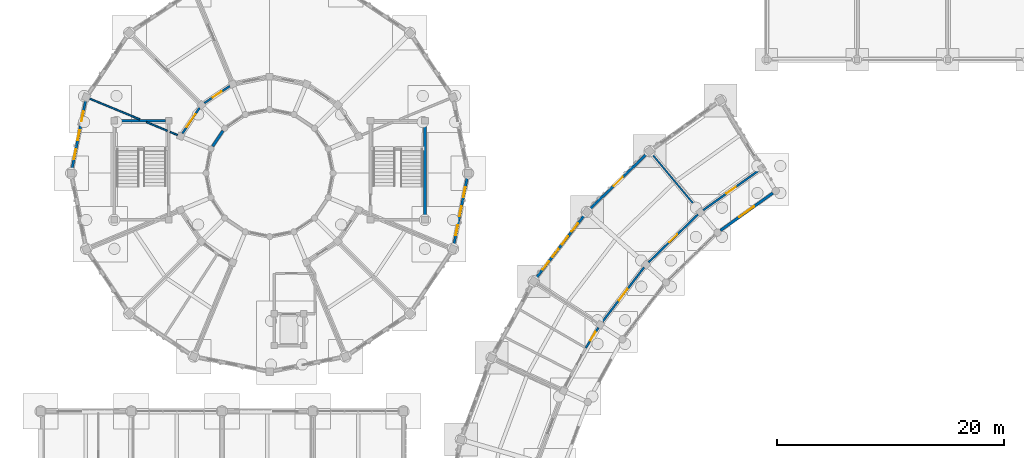
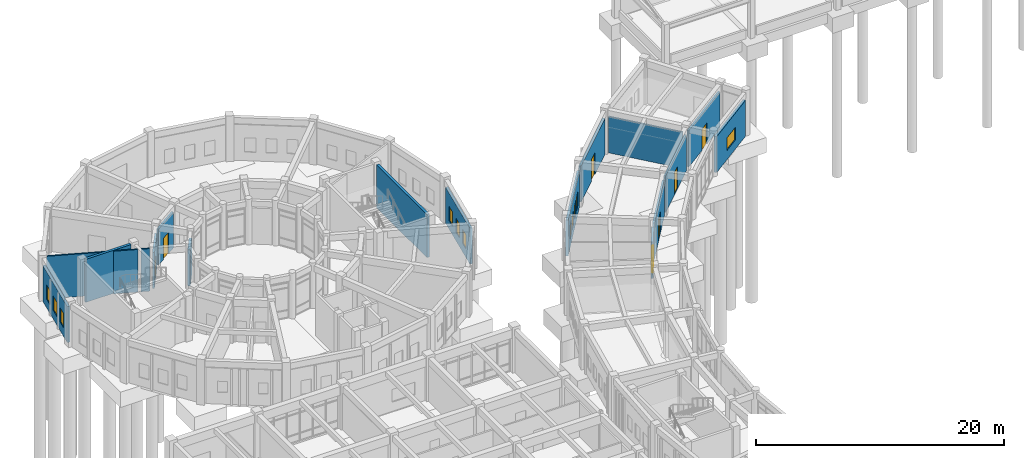
# One storey, part 128 of 153: 18 walls, 11 windows, 7 doors, 18 openings.
"""IFC4 building model written with IfcOpenShell, lengths in metres."""

from ifc_helpers import new_model, si_unit, direction, frame, frame_2d, origin, place, context, subcontext, project, spatial, rectangle, extrude, material, layer, layer_set, type_object, element, fill, save


model = new_model("IFC4")

# Units and contexts
model_context = context("Model", 3, precision=1e-05, world=origin(), true_north=direction((0.0, 1.0)))
body_context = subcontext(model_context, "Body", "Model", "MODEL_VIEW")
ifc_project = project(units=[si_unit("LENGTHUNIT", "METRE"), si_unit("AREAUNIT", "SQUARE_METRE"), si_unit("VOLUMEUNIT", "CUBIC_METRE"), si_unit("PLANEANGLEUNIT", "RADIAN"), si_unit("MASSUNIT", "GRAM", prefix="KILO")], contexts=[model_context])

# Site, building, storey
site_placement = place(None, origin())
site = spatial("IfcSite", under=ifc_project, at=site_placement, CompositionType="ELEMENT")
building_placement = place(site_placement, origin())
building = spatial("IfcBuilding", under=site, at=building_placement, Name="Celadon Cloister-Ring School", CompositionType="ELEMENT")
storey_placement = place(building_placement, origin())
storey = spatial("IfcBuildingStorey", under=building, at=storey_placement, Name="L00", CompositionType="ELEMENT", Elevation=0.0)

# Wall, opening, window
ifc_material_1 = material(Name="Rendered concrete blockwork", Category="masonry")
ifc_layer_1 = layer(ifc_material_1, 0.239990234375)
ifc_layer_set_1 = layer_set([ifc_layer_1], Name="Rendered concrete blockwork")
wall_type_1 = type_object("IfcWallType", Name="WT-EX3", PredefinedType="SOLIDWALL", material=ifc_layer_set_1)
wall_1_placement = place(storey_placement, frame((64.56396484375, 95.2451171875, 0.0), z_axis=(0.0, 0.0, 1.0), x_axis=(-0.813415945059, -0.581682473798, 0.0)))
wall_1 = element("IfcWall", 1, at=wall_1_placement, inside=storey, type_object=wall_type_1, Name="Exterior Wall 0002", PredefinedType="SOLIDWALL", context=body_context, shape_type="SweptSolid", body=[
    extrude(rectangle(XDim=5.664794921875, YDim=0.239990234375, at=frame_2d((2.83251953125, 0.0))), origin(), (0.0, 0.0, 1.0), 3.550048828125),
])
opening_1_placement = place(wall_1_placement, frame((2.031982421875, 0.0, 0.89990234375)))
opening_1 = element("IfcOpeningElement", 2, at=opening_1_placement, cuts=wall_1, Name="Opening WN-16", PredefinedType="OPENING", context=body_context, shape_type="SweptSolid", body=[
    extrude(rectangle(XDim=1.60009765625, YDim=1.25, at=frame_2d((0.800048828125, 0.625))), frame((0.0, 0.1298828125, 0.0), z_axis=(0.0, -1.0, 0.0), x_axis=(1.0, 0.0, 0.0)), (0.0, 0.0, 1.0), 0.260009765625),
])
ifc_material_2 = material(Name="Tempered laminated insulating glass", Category="glass")
window_type_1 = type_object("IfcWindowType", Name="WN-16", PartitioningType="DOUBLE_PANEL_VERTICAL", PredefinedType="WINDOW", material=ifc_material_2)
window_1_placement = place(opening_1_placement, origin())
window_1 = element("IfcWindow", 3, at=window_1_placement, inside=storey, type_object=window_type_1, Name="Window 0005", OverallHeight=1.25, OverallWidth=1.60009765625, PartitioningType="SINGLE_PANEL", PredefinedType="WINDOW", context=body_context, shape_type="SweptSolid", body=[
    extrude(rectangle(XDim=1.60009765625, YDim=1.25, at=frame_2d((0.800048828125, 0.625))), frame((0.0, 0.030029296875, 0.0), z_axis=(0.0, -1.0, 0.0), x_axis=(1.0, 0.0, 0.0)), (0.0, 0.0, 1.0), 0.06005859375),
])
fill(opening_1, window_1)

# Wall
wall_2_placement = place(storey_placement, frame((16.0859375, 100.72998046875, 0.0), z_axis=(0.0, 0.0, 1.0), x_axis=(-0.555287078904, -0.83165874011, 0.0)))
element("IfcWall", 4, at=wall_2_placement, inside=storey, type_object=wall_type_1, Name="Exterior Wall 0219", PredefinedType="SOLIDWALL", context=body_context, shape_type="SweptSolid", body=[
    extrude(rectangle(XDim=1.631591796875, YDim=0.239990234375, at=frame_2d((0.81591796875, 0.0))), origin(), (0.0, 0.0, 1.0), 3.550048828125),
])

# Wall, opening, door
ifc_material_3 = material(Name="Perforated terracotta clay brick masonry", Category="masonry")
ifc_layer_2 = layer(ifc_material_3, 0.219970703125)
ifc_layer_set_2 = layer_set([ifc_layer_2], Name="Perforated terracotta clay brick masonry")
wall_type_2 = type_object("IfcWallType", Name="WT-EX4", PredefinedType="SOLIDWALL", material=ifc_layer_set_2)
wall_3_placement = place(storey_placement, frame((48.408935546875, 93.818115234375, 0.0), z_axis=(0.0, 0.0, 1.0), x_axis=(0.718677705088, 0.695343336927, 0.0)))
wall_3 = element("IfcWall", 5, at=wall_3_placement, inside=storey, type_object=wall_type_2, Name="Exterior Wall 0003", PredefinedType="SOLIDWALL", context=body_context, shape_type="SweptSolid", body=[
    extrude(rectangle(XDim=7.031005859375, YDim=0.219970703125, at=frame_2d((3.515625, 0.0))), origin(), (0.0, 0.0, 1.0), 3.550048828125),
])
opening_2_placement = place(wall_3_placement, frame((2.966064453125, 0.0, 0.0)))
opening_2 = element("IfcOpeningElement", 6, at=opening_2_placement, cuts=wall_3, Name="Opening D-0001", PredefinedType="OPENING", context=body_context, shape_type="SweptSolid", body=[
    extrude(rectangle(XDim=1.10009765625, YDim=2.14990234375, at=frame_2d((0.550048828125, 1.074951171875))), frame((0.0, 0.1201171875, 0.0), z_axis=(0.0, -1.0, 0.0), x_axis=(1.0, 0.0, 0.0)), (0.0, 0.0, 1.0), 0.239990234375),
])
ifc_material_4 = material(Name="Aluminium EN AW-6063 T6", Category="aluminium")
door_type_1 = type_object("IfcDoorType", Name="DE-02", OperationType="NOTDEFINED", PredefinedType="DOOR", material=ifc_material_4)
door_1_placement = place(opening_2_placement, origin())
door_1 = element("IfcDoor", 7, at=door_1_placement, inside=storey, type_object=door_type_1, Name="Exterior Door D-0001", OperationType="SINGLE_SWING_LEFT", OverallHeight=2.14990234375, OverallWidth=1.10009765625, PredefinedType="DOOR", context=body_context, shape_type="SweptSolid", body=[
    extrude(rectangle(XDim=1.10009765625, YDim=2.14990234375, at=frame_2d((0.550048828125, 1.074951171875))), frame((0.0, 0.02490234375, 0.0), z_axis=(0.0, -1.0, 0.0), x_axis=(1.0, 0.0, 0.0)), (0.0, 0.0, 1.0), 0.050048828125),
])
fill(opening_2, door_1)

# Wall, openings, windows
wall_4_placement = place(storey_placement, frame((43.68798828125, 87.73388671875, 0.0), z_axis=(0.0, 0.0, 1.0), x_axis=(0.60805685998, 0.793893478391, 0.0)))
wall_4 = element("IfcWall", 8, at=wall_4_placement, inside=storey, type_object=wall_type_2, Name="Exterior Wall 0004", PredefinedType="SOLIDWALL", context=body_context, shape_type="SweptSolid", body=[
    extrude(rectangle(XDim=7.032470703125, YDim=0.219970703125, at=frame_2d((3.51611328125, 0.0))), origin(), (0.0, 0.0, 1.0), 3.550048828125),
])
opening_3_placement = place(wall_4_placement, frame((0.9560546875, 0.0, 0.85009765625)))
opening_3 = element("IfcOpeningElement", 9, at=opening_3_placement, cuts=wall_4, Name="Opening WN-21", PredefinedType="OPENING", context=body_context, shape_type="SweptSolid", body=[
    extrude(rectangle(XDim=0.89990234375, YDim=1.39990234375, at=frame_2d((0.449951171875, 0.699951171875))), frame((0.0, 0.1201171875, 0.0), z_axis=(0.0, -1.0, 0.0), x_axis=(1.0, 0.0, 0.0)), (0.0, 0.0, 1.0), 0.239990234375),
])
opening_4_placement = place(wall_4_placement, frame((2.363037109375, 0.0, 0.85009765625)))
opening_4 = element("IfcOpeningElement", 10, at=opening_4_placement, cuts=wall_4, Name="Opening WN-21", PredefinedType="OPENING", context=body_context, shape_type="SweptSolid", body=[
    extrude(rectangle(XDim=0.89990234375, YDim=1.39990234375, at=frame_2d((0.449951171875, 0.699951171875))), frame((0.0, 0.1201171875, 0.0), z_axis=(0.0, -1.0, 0.0), x_axis=(1.0, 0.0, 0.0)), (0.0, 0.0, 1.0), 0.239990234375),
])
opening_5_placement = place(wall_4_placement, frame((3.76904296875, 0.0, 0.85009765625)))
opening_5 = element("IfcOpeningElement", 11, at=opening_5_placement, cuts=wall_4, Name="Opening WN-21", PredefinedType="OPENING", context=body_context, shape_type="SweptSolid", body=[
    extrude(rectangle(XDim=0.89990234375, YDim=1.39990234375, at=frame_2d((0.449951171875, 0.699951171875))), frame((0.0, 0.1201171875, 0.0), z_axis=(0.0, -1.0, 0.0), x_axis=(1.0, 0.0, 0.0)), (0.0, 0.0, 1.0), 0.239990234375),
])
opening_6_placement = place(wall_4_placement, frame((5.176025390625, 0.0, 0.85009765625)))
opening_6 = element("IfcOpeningElement", 12, at=opening_6_placement, cuts=wall_4, Name="Opening WN-21", PredefinedType="OPENING", context=body_context, shape_type="SweptSolid", body=[
    extrude(rectangle(XDim=0.89990234375, YDim=1.39990234375, at=frame_2d((0.449951171875, 0.699951171875))), frame((0.0, 0.1201171875, 0.0), z_axis=(0.0, -1.0, 0.0), x_axis=(1.0, 0.0, 0.0)), (0.0, 0.0, 1.0), 0.239990234375),
])
ifc_material_5 = material(Name="Tempered laminated insulating glass", Category="glass")
window_type_2 = type_object("IfcWindowType", Name="WN-21", PartitioningType="SINGLE_PANEL", PredefinedType="WINDOW", material=ifc_material_5)
window_2_placement = place(opening_3_placement, origin())
window_2 = element("IfcWindow", 13, at=window_2_placement, inside=storey, type_object=window_type_2, Name="Window 0006", OverallHeight=1.39990234375, OverallWidth=0.89990234375, PartitioningType="SINGLE_PANEL", PredefinedType="WINDOW", context=body_context, shape_type="SweptSolid", body=[
    extrude(rectangle(XDim=0.89990234375, YDim=1.39990234375, at=frame_2d((0.449951171875, 0.699951171875))), frame((0.0, 0.030029296875, 0.0), z_axis=(0.0, -1.0, 0.0), x_axis=(1.0, 0.0, 0.0)), (0.0, 0.0, 1.0), 0.06005859375),
])
fill(opening_3, window_2)
window_3_placement = place(opening_4_placement, origin())
window_3 = element("IfcWindow", 14, at=window_3_placement, inside=storey, type_object=window_type_2, Name="Window 0007", OverallHeight=1.39990234375, OverallWidth=0.89990234375, PartitioningType="SINGLE_PANEL", PredefinedType="WINDOW", context=body_context, shape_type="SweptSolid", body=[
    extrude(rectangle(XDim=0.89990234375, YDim=1.39990234375, at=frame_2d((0.449951171875, 0.699951171875))), frame((0.0, 0.030029296875, 0.0), z_axis=(0.0, -1.0, 0.0), x_axis=(1.0, 0.0, 0.0)), (0.0, 0.0, 1.0), 0.06005859375),
])
fill(opening_4, window_3)
window_4_placement = place(opening_5_placement, origin())
window_4 = element("IfcWindow", 15, at=window_4_placement, inside=storey, type_object=window_type_2, Name="Window 0008", OverallHeight=1.39990234375, OverallWidth=0.89990234375, PartitioningType="SINGLE_PANEL", PredefinedType="WINDOW", context=body_context, shape_type="SweptSolid", body=[
    extrude(rectangle(XDim=0.89990234375, YDim=1.39990234375, at=frame_2d((0.449951171875, 0.699951171875))), frame((0.0, 0.030029296875, 0.0), z_axis=(0.0, -1.0, 0.0), x_axis=(1.0, 0.0, 0.0)), (0.0, 0.0, 1.0), 0.06005859375),
])
fill(opening_5, window_4)
window_5_placement = place(opening_6_placement, origin())
window_5 = element("IfcWindow", 16, at=window_5_placement, inside=storey, type_object=window_type_2, Name="Window 0009", OverallHeight=1.39990234375, OverallWidth=0.89990234375, PartitioningType="SINGLE_PANEL", PredefinedType="WINDOW", context=body_context, shape_type="SweptSolid", body=[
    extrude(rectangle(XDim=0.89990234375, YDim=1.39990234375, at=frame_2d((0.449951171875, 0.699951171875))), frame((0.0, 0.030029296875, 0.0), z_axis=(0.0, -1.0, 0.0), x_axis=(1.0, 0.0, 0.0)), (0.0, 0.0, 1.0), 0.06005859375),
])
fill(opening_6, window_5)

wall_5_placement = place(storey_placement, frame((2.76904296875, 97.347900390625, 0.0), z_axis=(0.0, 0.0, 1.0), x_axis=(0.195110859746, 0.980781194971, 0.0)))
wall_5 = element("IfcWall", 17, at=wall_5_placement, inside=storey, type_object=wall_type_2, Name="Exterior Wall 0220", PredefinedType="SOLIDWALL", context=body_context, shape_type="SweptSolid", body=[
    extrude(rectangle(XDim=6.118896484375, YDim=0.219970703125, at=frame_2d((3.0595703125, 0.0))), origin(), (0.0, 0.0, 1.0), 3.550048828125),
])
opening_7_placement = place(wall_5_placement, frame((0.89599609375, 0.0, 0.85009765625)))
opening_7 = element("IfcOpeningElement", 18, at=opening_7_placement, cuts=wall_5, Name="Opening WN-21", PredefinedType="OPENING", context=body_context, shape_type="SweptSolid", body=[
    extrude(rectangle(XDim=0.89990234375, YDim=1.39990234375, at=frame_2d((0.449951171875, 0.699951171875))), frame((0.0, 0.1201171875, 0.0), z_axis=(0.0, -1.0, 0.0), x_axis=(1.0, 0.0, 0.0)), (0.0, 0.0, 1.0), 0.239990234375),
])
opening_8_placement = place(wall_5_placement, frame((2.60888671875, 0.0, 0.85009765625)))
opening_8 = element("IfcOpeningElement", 19, at=opening_8_placement, cuts=wall_5, Name="Opening WN-21", PredefinedType="OPENING", context=body_context, shape_type="SweptSolid", body=[
    extrude(rectangle(XDim=0.89990234375, YDim=1.39990234375, at=frame_2d((0.449951171875, 0.699951171875))), frame((0.0, 0.1201171875, 0.0), z_axis=(0.0, -1.0, 0.0), x_axis=(1.0, 0.0, 0.0)), (0.0, 0.0, 1.0), 0.239990234375),
])
opening_9_placement = place(wall_5_placement, frame((4.322998046875, 0.0, 0.85009765625)))
opening_9 = element("IfcOpeningElement", 20, at=opening_9_placement, cuts=wall_5, Name="Opening WN-21", PredefinedType="OPENING", context=body_context, shape_type="SweptSolid", body=[
    extrude(rectangle(XDim=0.89990234375, YDim=1.39990234375, at=frame_2d((0.449951171875, 0.699951171875))), frame((0.0, 0.1201171875, 0.0), z_axis=(0.0, -1.0, 0.0), x_axis=(1.0, 0.0, 0.0)), (0.0, 0.0, 1.0), 0.239990234375),
])
window_6_placement = place(opening_7_placement, origin())
window_6 = element("IfcWindow", 21, at=window_6_placement, inside=storey, type_object=window_type_2, Name="Window 0596", OverallHeight=1.39990234375, OverallWidth=0.89990234375, PartitioningType="SINGLE_PANEL", PredefinedType="WINDOW", context=body_context, shape_type="SweptSolid", body=[
    extrude(rectangle(XDim=0.89990234375, YDim=1.39990234375, at=frame_2d((0.449951171875, 0.699951171875))), frame((0.0, 0.030029296875, 0.0), z_axis=(0.0, -1.0, 0.0), x_axis=(1.0, 0.0, 0.0)), (0.0, 0.0, 1.0), 0.06005859375),
])
fill(opening_7, window_6)
window_7_placement = place(opening_8_placement, origin())
window_7 = element("IfcWindow", 22, at=window_7_placement, inside=storey, type_object=window_type_2, Name="Window 0597", OverallHeight=1.39990234375, OverallWidth=0.89990234375, PartitioningType="SINGLE_PANEL", PredefinedType="WINDOW", context=body_context, shape_type="SweptSolid", body=[
    extrude(rectangle(XDim=0.89990234375, YDim=1.39990234375, at=frame_2d((0.449951171875, 0.699951171875))), frame((0.0, 0.030029296875, 0.0), z_axis=(0.0, -1.0, 0.0), x_axis=(1.0, 0.0, 0.0)), (0.0, 0.0, 1.0), 0.06005859375),
])
fill(opening_8, window_7)
window_8_placement = place(opening_9_placement, origin())
window_8 = element("IfcWindow", 23, at=window_8_placement, inside=storey, type_object=window_type_2, Name="Window 0598", OverallHeight=1.39990234375, OverallWidth=0.89990234375, PartitioningType="SINGLE_PANEL", PredefinedType="WINDOW", context=body_context, shape_type="SweptSolid", body=[
    extrude(rectangle(XDim=0.89990234375, YDim=1.39990234375, at=frame_2d((0.449951171875, 0.699951171875))), frame((0.0, 0.030029296875, 0.0), z_axis=(0.0, -1.0, 0.0), x_axis=(1.0, 0.0, 0.0)), (0.0, 0.0, 1.0), 0.06005859375),
])
fill(opening_9, window_8)

wall_6_placement = place(storey_placement, frame((37.631103515625, 96.652099609375, 0.0), z_axis=(0.0, 0.0, 1.0), x_axis=(-0.195149240347, -0.980773558979, 0.0)))
wall_6 = element("IfcWall", 24, at=wall_6_placement, inside=storey, type_object=wall_type_2, Name="Exterior Wall 0230", PredefinedType="SOLIDWALL", context=body_context, shape_type="SweptSolid", body=[
    extrude(rectangle(XDim=6.118896484375, YDim=0.219970703125, at=frame_2d((3.0595703125, 0.0))), origin(), (0.0, 0.0, 1.0), 3.550048828125),
])
opening_10_placement = place(wall_6_placement, frame((0.89599609375, 0.0, 0.85009765625)))
opening_10 = element("IfcOpeningElement", 25, at=opening_10_placement, cuts=wall_6, Name="Opening WN-21", PredefinedType="OPENING", context=body_context, shape_type="SweptSolid", body=[
    extrude(rectangle(XDim=0.89990234375, YDim=1.39990234375, at=frame_2d((0.449951171875, 0.699951171875))), frame((0.0, 0.1201171875, 0.0), z_axis=(0.0, -1.0, 0.0), x_axis=(1.0, 0.0, 0.0)), (0.0, 0.0, 1.0), 0.239990234375),
])
opening_11_placement = place(wall_6_placement, frame((2.60888671875, 0.0, 0.85009765625)))
opening_11 = element("IfcOpeningElement", 26, at=opening_11_placement, cuts=wall_6, Name="Opening WN-21", PredefinedType="OPENING", context=body_context, shape_type="SweptSolid", body=[
    extrude(rectangle(XDim=0.89990234375, YDim=1.39990234375, at=frame_2d((0.449951171875, 0.699951171875))), frame((0.0, 0.1201171875, 0.0), z_axis=(0.0, -1.0, 0.0), x_axis=(1.0, 0.0, 0.0)), (0.0, 0.0, 1.0), 0.239990234375),
])
opening_12_placement = place(wall_6_placement, frame((4.322998046875, 0.0, 0.85009765625)))
opening_12 = element("IfcOpeningElement", 27, at=opening_12_placement, cuts=wall_6, Name="Opening WN-21", PredefinedType="OPENING", context=body_context, shape_type="SweptSolid", body=[
    extrude(rectangle(XDim=0.89990234375, YDim=1.39990234375, at=frame_2d((0.449951171875, 0.699951171875))), frame((0.0, 0.1201171875, 0.0), z_axis=(0.0, -1.0, 0.0), x_axis=(1.0, 0.0, 0.0)), (0.0, 0.0, 1.0), 0.239990234375),
])
window_9_placement = place(opening_10_placement, origin())
window_9 = element("IfcWindow", 28, at=window_9_placement, inside=storey, type_object=window_type_2, Name="Window 0616", OverallHeight=1.39990234375, OverallWidth=0.89990234375, PartitioningType="SINGLE_PANEL", PredefinedType="WINDOW", context=body_context, shape_type="SweptSolid", body=[
    extrude(rectangle(XDim=0.89990234375, YDim=1.39990234375, at=frame_2d((0.449951171875, 0.699951171875))), frame((0.0, 0.030029296875, 0.0), z_axis=(0.0, -1.0, 0.0), x_axis=(1.0, 0.0, 0.0)), (0.0, 0.0, 1.0), 0.06005859375),
])
fill(opening_10, window_9)
window_10_placement = place(opening_11_placement, origin())
window_10 = element("IfcWindow", 29, at=window_10_placement, inside=storey, type_object=window_type_2, Name="Window 0617", OverallHeight=1.39990234375, OverallWidth=0.89990234375, PartitioningType="SINGLE_PANEL", PredefinedType="WINDOW", context=body_context, shape_type="SweptSolid", body=[
    extrude(rectangle(XDim=0.89990234375, YDim=1.39990234375, at=frame_2d((0.449951171875, 0.699951171875))), frame((0.0, 0.030029296875, 0.0), z_axis=(0.0, -1.0, 0.0), x_axis=(1.0, 0.0, 0.0)), (0.0, 0.0, 1.0), 0.06005859375),
])
fill(opening_11, window_10)
window_11_placement = place(opening_12_placement, origin())
window_11 = element("IfcWindow", 30, at=window_11_placement, inside=storey, type_object=window_type_2, Name="Window 0618", OverallHeight=1.39990234375, OverallWidth=0.89990234375, PartitioningType="SINGLE_PANEL", PredefinedType="WINDOW", context=body_context, shape_type="SweptSolid", body=[
    extrude(rectangle(XDim=0.89990234375, YDim=1.39990234375, at=frame_2d((0.449951171875, 0.699951171875))), frame((0.0, 0.030029296875, 0.0), z_axis=(0.0, -1.0, 0.0), x_axis=(1.0, 0.0, 0.0)), (0.0, 0.0, 1.0), 0.06005859375),
])
fill(opening_12, window_11)

# Wall, opening, door
ifc_material_6 = material(Name="Plastered hollow concrete masonry", Category="masonry")
ifc_layer_3 = layer(ifc_material_6, 0.179931640625)
ifc_layer_set_3 = layer_set([ifc_layer_3], Name="Plastered hollow concrete masonry")
wall_type_3 = type_object("IfcWallType", Name="WT-PT2", PredefinedType="PARTITIONING", material=ifc_layer_set_3)
wall_7_placement = place(storey_placement, frame((63.3701171875, 97.27197265625, 0.0), z_axis=(0.0, 0.0, 1.0), x_axis=(-0.813478411551, -0.581595111688, 0.0)))
wall_7 = element("IfcWall", 31, at=wall_7_placement, inside=storey, type_object=wall_type_3, Name="Interior Wall 0452", PredefinedType="PARTITIONING", context=body_context, shape_type="SweptSolid", body=[
    extrude(rectangle(XDim=6.081298828125, YDim=0.179931640625, at=frame_2d((3.04052734375, 0.0))), origin(), (0.0, 0.0, 1.0), 3.572021484375),
])
opening_13_placement = place(wall_7_placement, frame((2.541015625, 0.0, 0.0)))
opening_13 = element("IfcOpeningElement", 32, at=opening_13_placement, cuts=wall_7, Name="Opening D-0113", PredefinedType="OPENING", context=body_context, shape_type="SweptSolid", body=[
    extrude(rectangle(XDim=1.0, YDim=2.10009765625, at=frame_2d((0.5, 1.050048828125))), frame((0.0, 0.10009765625, 0.0), z_axis=(0.0, -1.0, 0.0), x_axis=(1.0, 0.0, 0.0)), (0.0, 0.0, 1.0), 0.199951171875),
])
ifc_material_7 = material(Name="Solid-core fire-rated hardwood leaf", Category="wood")
door_type_2 = type_object("IfcDoorType", Name="DT-04", OperationType="NOTDEFINED", PredefinedType="DOOR", material=ifc_material_7)
door_2_placement = place(opening_13_placement, origin())
door_2 = element("IfcDoor", 33, at=door_2_placement, inside=storey, type_object=door_type_2, Name="Door D-0113", OperationType="SINGLE_SWING_LEFT", OverallHeight=2.10009765625, OverallWidth=1.0, PredefinedType="DOOR", context=body_context, shape_type="SweptSolid", body=[
    extrude(rectangle(XDim=1.0, YDim=2.10009765625, at=frame_2d((0.5, 1.050048828125))), frame((0.0, 0.02490234375, 0.0), z_axis=(0.0, -1.0, 0.0), x_axis=(1.0, 0.0, 0.0)), (0.0, 0.0, 1.0), 0.050048828125),
])
fill(opening_13, door_2)

wall_8_placement = place(storey_placement, frame((57.97509765625, 93.361083984375, 0.0), z_axis=(0.0, 0.0, 1.0), x_axis=(-0.7186137907, -0.695409390084, 0.0)))
wall_8 = element("IfcWall", 34, at=wall_8_placement, inside=storey, type_object=wall_type_3, Name="Interior Wall 0453", PredefinedType="PARTITIONING", context=body_context, shape_type="SweptSolid", body=[
    extrude(rectangle(XDim=6.081298828125, YDim=0.179931640625, at=frame_2d((3.04052734375, 0.0))), origin(), (0.0, 0.0, 1.0), 3.572021484375),
])
opening_14_placement = place(wall_8_placement, frame((2.551025390625, 0.0, 0.0)))
opening_14 = element("IfcOpeningElement", 35, at=opening_14_placement, cuts=wall_8, Name="Opening D-0114", PredefinedType="OPENING", context=body_context, shape_type="SweptSolid", body=[
    extrude(rectangle(XDim=0.97998046875, YDim=2.199951171875, at=frame_2d((0.489990234375, 1.10009765625))), frame((0.0, 0.10009765625, 0.0), z_axis=(0.0, -1.0, 0.0), x_axis=(1.0, 0.0, 0.0)), (0.0, 0.0, 1.0), 0.199951171875),
])
ifc_material_8 = material(Name="Solid-core fire-rated hardwood leaf", Category="wood")
door_type_3 = type_object("IfcDoorType", Name="DT-07", OperationType="NOTDEFINED", PredefinedType="DOOR", material=ifc_material_8)
door_3_placement = place(opening_14_placement, origin())
door_3 = element("IfcDoor", 36, at=door_3_placement, inside=storey, type_object=door_type_3, Name="Door D-0114", OperationType="SINGLE_SWING_RIGHT", OverallHeight=2.199951171875, OverallWidth=0.97998046875, PredefinedType="DOOR", context=body_context, shape_type="SweptSolid", body=[
    extrude(rectangle(XDim=0.97998046875, YDim=2.199951171875, at=frame_2d((0.489990234375, 1.10009765625))), frame((0.0, 0.02490234375, 0.0), z_axis=(0.0, -1.0, 0.0), x_axis=(1.0, 0.0, 0.0)), (0.0, 0.0, 1.0), 0.050048828125),
])
fill(opening_14, door_3)

wall_9_placement = place(storey_placement, frame((53.217041015625, 88.696044921875, 0.0), z_axis=(0.0, 0.0, 1.0), x_axis=(-0.607883612756, -0.794026141473, 0.0)))
wall_9 = element("IfcWall", 37, at=wall_9_placement, inside=storey, type_object=wall_type_3, Name="Interior Wall 0454", PredefinedType="PARTITIONING", context=body_context, shape_type="SweptSolid", body=[
    extrude(rectangle(XDim=6.081787109375, YDim=0.179931640625, at=frame_2d((3.041015625, 0.0))), origin(), (0.0, 0.0, 1.0), 3.572021484375),
])
opening_15_placement = place(wall_9_placement, frame((2.416015625, 0.0, 0.0)))
opening_15 = element("IfcOpeningElement", 38, at=opening_15_placement, cuts=wall_9, Name="Opening D-0115", PredefinedType="OPENING", context=body_context, shape_type="SweptSolid", body=[
    extrude(rectangle(XDim=1.25, YDim=2.199951171875, at=frame_2d((0.625, 1.10009765625))), frame((0.0, 0.10009765625, 0.0), z_axis=(0.0, -1.0, 0.0), x_axis=(1.0, 0.0, 0.0)), (0.0, 0.0, 1.0), 0.199951171875),
])
ifc_material_9 = material(Name="Galvanised fire-rated hollow steel leaf", Category="steel")
door_type_4 = type_object("IfcDoorType", Name="DT-10", OperationType="NOTDEFINED", PredefinedType="DOOR", material=ifc_material_9)
door_4_placement = place(opening_15_placement, origin())
door_4 = element("IfcDoor", 39, at=door_4_placement, inside=storey, type_object=door_type_4, Name="Door D-0115", OperationType="SINGLE_SWING_LEFT", OverallHeight=2.199951171875, OverallWidth=1.25, PredefinedType="DOOR", context=body_context, shape_type="SweptSolid", body=[
    extrude(rectangle(XDim=1.25, YDim=2.199951171875, at=frame_2d((0.625, 1.10009765625))), frame((0.0, 0.02490234375, 0.0), z_axis=(0.0, -1.0, 0.0), x_axis=(1.0, 0.0, 0.0)), (0.0, 0.0, 1.0), 0.050048828125),
])
fill(opening_15, door_4)

wall_10_placement = place(storey_placement, frame((49.18896484375, 83.385986328125, 0.0), z_axis=(0.0, 0.0, 1.0), x_axis=(-0.525246440568, -0.850950161097, 0.0)))
wall_10 = element("IfcWall", 40, at=wall_10_placement, inside=storey, type_object=wall_type_3, Name="Interior Wall 0455", PredefinedType="PARTITIONING", context=body_context, shape_type="SweptSolid", body=[
    extrude(rectangle(XDim=2.109375, YDim=0.179931640625, at=frame_2d((1.0546875, 0.0))), origin(), (0.0, 0.0, 1.0), 3.572021484375),
])
opening_16_placement = place(wall_10_placement, frame((0.468994140625, 0.0, 0.0)))
opening_16 = element("IfcOpeningElement", 41, at=opening_16_placement, cuts=wall_10, Name="Opening D-0116", PredefinedType="OPENING", context=body_context, shape_type="SweptSolid", body=[
    extrude(rectangle(XDim=0.8798828125, YDim=2.10009765625, at=frame_2d((0.43994140625, 1.050048828125))), frame((0.0, 0.10009765625, 0.0), z_axis=(0.0, -1.0, 0.0), x_axis=(1.0, 0.0, 0.0)), (0.0, 0.0, 1.0), 0.199951171875),
])
ifc_material_10 = material(Name="Solid-core fire-rated hardwood leaf", Category="wood")
door_type_5 = type_object("IfcDoorType", Name="DT-01", OperationType="NOTDEFINED", PredefinedType="DOOR", material=ifc_material_10)
door_5_placement = place(opening_16_placement, origin())
door_5 = element("IfcDoor", 42, at=door_5_placement, inside=storey, type_object=door_type_5, Name="Door D-0116", OperationType="SINGLE_SWING_RIGHT", OverallHeight=2.10009765625, OverallWidth=0.8798828125, PredefinedType="DOOR", context=body_context, shape_type="SweptSolid", body=[
    extrude(rectangle(XDim=0.8798828125, YDim=2.10009765625, at=frame_2d((0.43994140625, 1.050048828125))), frame((0.0, 0.02490234375, 0.0), z_axis=(0.0, -1.0, 0.0), x_axis=(1.0, 0.0, 0.0)), (0.0, 0.0, 1.0), 0.050048828125),
])
fill(opening_16, door_5)

wall_11_placement = place(storey_placement, frame((16.698974609375, 104.68798828125, 0.0), z_axis=(0.0, 0.0, 1.0), x_axis=(-0.831096426298, -0.556128339679, 0.0)))
wall_11 = element("IfcWall", 43, at=wall_11_placement, inside=storey, type_object=wall_type_3, Name="Interior Wall 0663", PredefinedType="PARTITIONING", context=body_context, shape_type="SweptSolid", body=[
    extrude(rectangle(XDim=2.720458984375, YDim=0.179931640625, at=frame_2d((1.3603515625, 0.0))), origin(), (0.0, 0.0, 1.0), 3.552001953125),
])
opening_17_placement = place(wall_11_placement, frame((0.89990234375, 0.0, 0.0)))
opening_17 = element("IfcOpeningElement", 44, at=opening_17_placement, cuts=wall_11, Name="Opening D-0241", PredefinedType="OPENING", context=body_context, shape_type="SweptSolid", body=[
    extrude(rectangle(XDim=0.919921875, YDim=2.10009765625, at=frame_2d((0.4599609375, 1.050048828125))), frame((0.0, 0.10009765625, 0.0), z_axis=(0.0, -1.0, 0.0), x_axis=(1.0, 0.0, 0.0)), (0.0, 0.0, 1.0), 0.199951171875),
])
ifc_material_11 = material(Name="Solid-core fire-rated hardwood leaf", Category="wood")
door_type_6 = type_object("IfcDoorType", Name="DT-02", OperationType="NOTDEFINED", PredefinedType="DOOR", material=ifc_material_11)
door_6_placement = place(opening_17_placement, origin())
door_6 = element("IfcDoor", 45, at=door_6_placement, inside=storey, type_object=door_type_6, Name="Door D-0241", OperationType="SINGLE_SWING_LEFT", OverallHeight=2.10009765625, OverallWidth=0.919921875, PredefinedType="DOOR", context=body_context, shape_type="SweptSolid", body=[
    extrude(rectangle(XDim=0.919921875, YDim=2.10009765625, at=frame_2d((0.4599609375, 1.050048828125))), frame((0.0, 0.02490234375, 0.0), z_axis=(0.0, -1.0, 0.0), x_axis=(1.0, 0.0, 0.0)), (0.0, 0.0, 1.0), 0.050048828125),
])
fill(opening_17, door_6)

wall_12_placement = place(storey_placement, frame((14.02490234375, 102.761962890625, 0.0), z_axis=(0.0, 0.0, 1.0), x_axis=(-0.556128339679, -0.831096426298, 0.0)))
wall_12 = element("IfcWall", 46, at=wall_12_placement, inside=storey, type_object=wall_type_3, Name="Interior Wall 0664", PredefinedType="PARTITIONING", context=body_context, shape_type="SweptSolid", body=[
    extrude(rectangle(XDim=2.720458984375, YDim=0.179931640625, at=frame_2d((1.3603515625, 0.0))), origin(), (0.0, 0.0, 1.0), 3.552001953125),
])
opening_18_placement = place(wall_12_placement, frame((0.68505859375, 0.0, 0.0)))
opening_18 = element("IfcOpeningElement", 47, at=opening_18_placement, cuts=wall_12, Name="Opening D-0242", PredefinedType="OPENING", context=body_context, shape_type="SweptSolid", body=[
    extrude(rectangle(XDim=1.35009765625, YDim=2.199951171875, at=frame_2d((0.675048828125, 1.10009765625))), frame((0.0, 0.10009765625, 0.0), z_axis=(0.0, -1.0, 0.0), x_axis=(1.0, 0.0, 0.0)), (0.0, 0.0, 1.0), 0.199951171875),
])
ifc_material_12 = material(Name="Galvanised fire-rated hollow steel leaf", Category="steel")
door_type_7 = type_object("IfcDoorType", Name="DT-11", OperationType="NOTDEFINED", PredefinedType="DOOR", material=ifc_material_12)
door_7_placement = place(opening_18_placement, origin())
door_7 = element("IfcDoor", 48, at=door_7_placement, inside=storey, type_object=door_type_7, Name="Door D-0242", OperationType="SINGLE_SWING_RIGHT", OverallHeight=2.199951171875, OverallWidth=1.35009765625, PredefinedType="DOOR", context=body_context, shape_type="SweptSolid", body=[
    extrude(rectangle(XDim=1.35009765625, YDim=2.199951171875, at=frame_2d((0.675048828125, 1.10009765625))), frame((0.0, 0.02490234375, 0.0), z_axis=(0.0, -1.0, 0.0), x_axis=(1.0, 0.0, 0.0)), (0.0, 0.0, 1.0), 0.050048828125),
])
fill(opening_18, door_7)

# Walls
ifc_material_13 = material(Name="Acoustic mineral-wool drywall partition")
ifc_layer_4 = layer(ifc_material_13, 0.139892578125)
ifc_layer_set_4 = layer_set([ifc_layer_4], Name="Acoustic mineral-wool drywall partition")
wall_type_4 = type_object("IfcWallType", Name="WT-PT4", PredefinedType="PARTITIONING", material=ifc_layer_set_4)
wall_13_placement = place(storey_placement, frame((57.998046875, 93.7890625, 0.0), z_axis=(0.0, 0.0, 1.0), x_axis=(-0.640300876574, 0.768124200542, 0.0)))
element("IfcWall", 49, at=wall_13_placement, inside=storey, type_object=wall_type_4, Name="Interior Wall 0427", PredefinedType="PARTITIONING", context=body_context, shape_type="SweptSolid", body=[
    extrude(rectangle(XDim=6.390869140625, YDim=0.139892578125, at=frame_2d((3.1953125, 0.0))), origin(), (0.0, 0.0, 1.0), 3.572021484375),
])
wall_14_placement = place(storey_placement, frame((12.076904296875, 100.364013671875, 0.0), z_axis=(0.0, 0.0, 1.0), x_axis=(-0.923789734747, 0.382900151445, 0.0)))
element("IfcWall", 50, at=wall_14_placement, inside=storey, type_object=wall_type_4, Name="Interior Wall 0643", PredefinedType="PARTITIONING", context=body_context, shape_type="SweptSolid", body=[
    extrude(rectangle(XDim=0.707763671875, YDim=0.139892578125, at=frame_2d((0.35400390625, 0.0))), origin(), (0.0, 0.0, 1.0), 4.199951171875),
])
wall_15_placement = place(storey_placement, frame((11.177001953125, 100.737060546875, 0.0), z_axis=(0.0, 0.0, 1.0), x_axis=(-0.923817443679, 0.382833293686, 0.0)))
element("IfcWall", 51, at=wall_15_placement, inside=storey, type_object=wall_type_4, Name="Interior Wall 0644", PredefinedType="PARTITIONING", context=body_context, shape_type="SweptSolid", body=[
    extrude(rectangle(XDim=1.985107421875, YDim=0.139892578125, at=frame_2d((0.99267578125, 0.0))), origin(), (0.0, 0.0, 1.0), 4.199951171875),
])
wall_16_placement = place(storey_placement, frame((8.7490234375, 101.742919921875, 0.0), z_axis=(0.0, 0.0, 1.0), x_axis=(-0.923842829076, 0.38277203028, 0.0)))
element("IfcWall", 52, at=wall_16_placement, inside=storey, type_object=wall_type_4, Name="Interior Wall 0645", PredefinedType="PARTITIONING", context=body_context, shape_type="SweptSolid", body=[
    extrude(rectangle(XDim=4.788818359375, YDim=0.139892578125, at=frame_2d((2.39453125, 0.0))), origin(), (0.0, 0.0, 1.0), 4.199951171875),
])
ifc_material_14 = material(Name="Concrete C40/50", Category="concrete")
ifc_layer_5 = layer(ifc_material_14, 0.239990234375)
ifc_layer_set_5 = layer_set([ifc_layer_5], Name="Concrete C40/50")
wall_type_5 = type_object("IfcWallType", Name="WT-SH1", PredefinedType="SHEAR", material=ifc_layer_set_5)
wall_17_placement = place(storey_placement, frame((11.008056640625, 101.6201171875, 0.0), z_axis=(0.0, 0.0, 1.0), x_axis=(-1.0, 0.0, 0.0)))
element("IfcWall", 53, at=wall_17_placement, inside=storey, type_object=wall_type_5, Name="Interior Wall 0084", PredefinedType="SHEAR", context=body_context, shape_type="SweptSolid", body=[
    extrude(rectangle(XDim=4.216064453125, YDim=0.239990234375, at=frame_2d((2.10791015625, 0.0))), origin(), (0.0, 0.0, 1.0), 4.239990234375),
])
wall_18_placement = place(storey_placement, frame((33.89990234375, 101.327880859375, 0.0), z_axis=(0.0, 0.0, 1.0), x_axis=(0.0, -1.0, 0.0)))
element("IfcWall", 54, at=wall_18_placement, inside=storey, type_object=wall_type_5, Name="Interior Wall 0098", PredefinedType="SHEAR", context=body_context, shape_type="SweptSolid", body=[
    extrude(rectangle(XDim=8.135986328125, YDim=0.239990234375, at=frame_2d((4.06787109375, 0.0))), origin(), (0.0, 0.0, 1.0), 4.239990234375),
])

save(model, "model.ifc")
